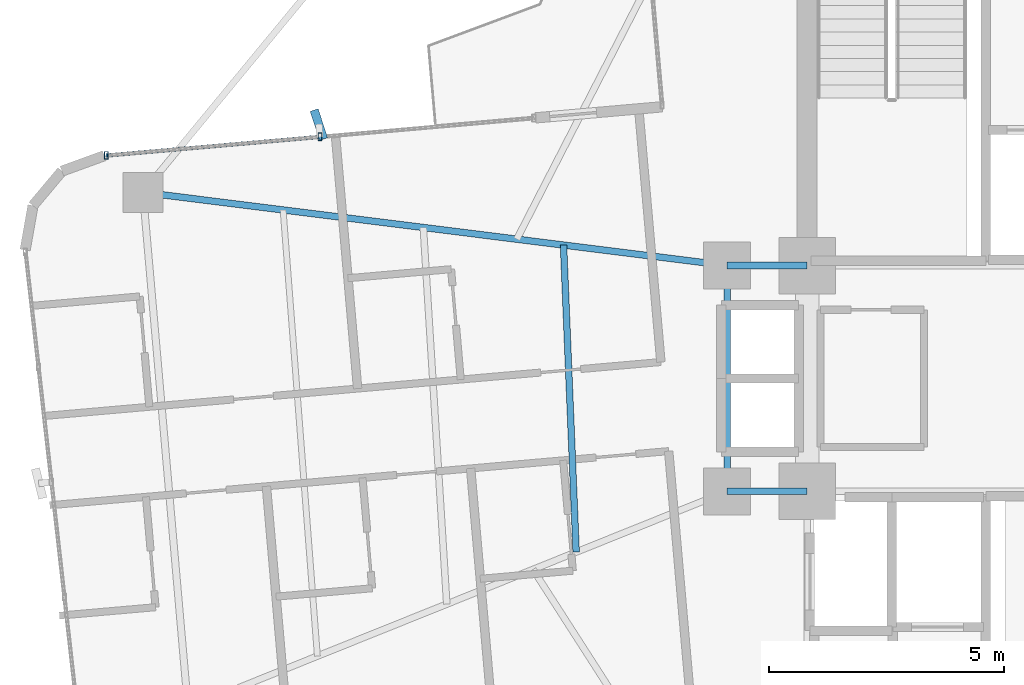
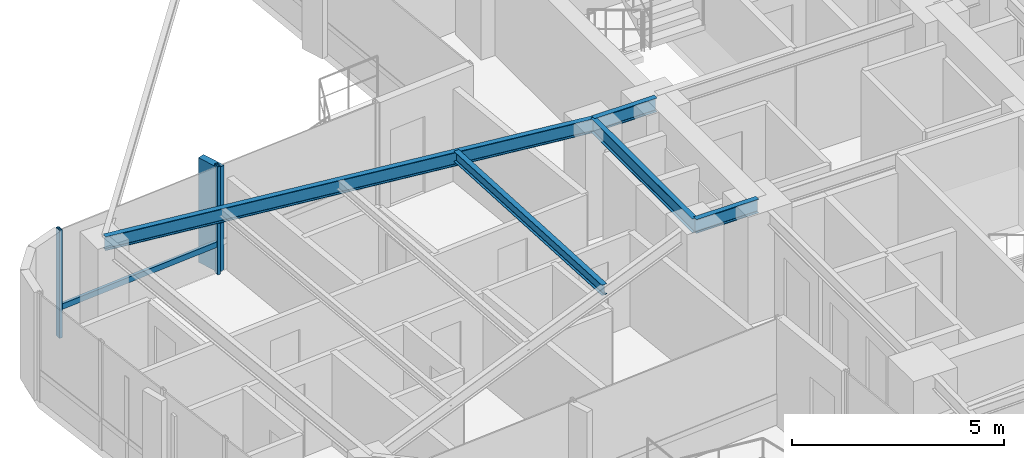
# One storey, part 9 of 24: 5 beams, 4 members, 1 element without a shape of its own.
"""IFC4 building model written with IfcOpenShell, lengths in metres."""

from ifc_helpers import new_model, si_unit, direction, frame, origin, origin_2d, place, context, subcontext, project, spatial, rectangle, hollow_rectangle, i_section, extrude, source, transform, mapped, material, material_profile, profile_set, type_object, element, aggregate, save


model = new_model("IFC4")

# Units and contexts
model_context = context("Model", 3, precision=1e-05, world=origin(), true_north=direction((0.0, 1.0)))
body_context = subcontext(model_context, "Body", "Model", "MODEL_VIEW")
ifc_project = project(units=[si_unit("LENGTHUNIT", "METRE"), si_unit("AREAUNIT", "SQUARE_METRE"), si_unit("VOLUMEUNIT", "CUBIC_METRE"), si_unit("PLANEANGLEUNIT", "RADIAN"), si_unit("MASSUNIT", "GRAM", prefix="KILO")], contexts=[model_context])

# Site, building, storey
site_placement = place(None, origin())
site = spatial("IfcSite", under=ifc_project, at=site_placement, CompositionType="ELEMENT")
building_placement = place(site_placement, origin())
building = spatial("IfcBuilding", under=site, at=building_placement, Name="Sahyath Konkavel Grand Hotel", CompositionType="ELEMENT")
storey_placement = place(building_placement, frame((0.0, 0.0, 178.550048828125)))
storey = spatial("IfcBuildingStorey", under=building, at=storey_placement, Name="L49", CompositionType="ELEMENT", Elevation=178.550048828125)

# Beams
ifc_material_1 = material(Name="Steel E350", Category="steel")
ifc_material_profile_1 = material_profile(ifc_material_1, i_section(OverallWidth=0.139892578125, OverallDepth=0.39990234375, WebThickness=0.0087890625, FlangeThickness=0.01611328125, FilletRadius=0.013916015625, at=origin_2d()), Name="ISMB 400")
ifc_profile_set_1 = profile_set([ifc_material_profile_1], Name="Steel E350")
beam_type_1 = type_object("IfcBeamType", Name="BM-ISMB400", PredefinedType="BEAM", material=ifc_profile_set_1)
shared_shape_1 = source(origin(), body_context, "Body", "SweptSolid", [
    extrude(i_section(OverallWidth=0.139892578125, OverallDepth=0.39990234375, WebThickness=0.0087890625, FlangeThickness=0.01611328125, FilletRadius=0.013916015625, at=origin_2d()), origin(), (0.0, 0.0, 1.0), 1.699951171875),
])
for number, where, z_axis, x_axis, name in (
    (1, (-5.5, 2.39990234375, 2.909912109375), (1.0, 0.0, 0.0), (0.0, 1.0, 0.0), "str:bm:L49:HB-NW"),
    (2, (-5.5, -2.39990234375, 2.909912109375), (1.0, 0.0, 0.0), (0.0, 1.0, 0.0), "str:bm:L49:HB-SW"),
):
    element("IfcBeam", number, at=place(storey_placement, frame(where, z_axis=z_axis, x_axis=x_axis)), inside=storey, type_object=beam_type_1, Name=name, PredefinedType="BEAM", context=body_context, shape_type="MappedRepresentation", body=[
        mapped(shared_shape_1, transform((0.0, 0.0, 0.0), scale=1.0)),
    ])
shared_shape_2 = source(origin(), body_context, "Body", "SweptSolid", [
    extrude(i_section(OverallWidth=0.139892578125, OverallDepth=0.39990234375, WebThickness=0.0087890625, FlangeThickness=0.01611328125, FilletRadius=0.013916015625, at=origin_2d()), origin(), (0.0, 0.0, 1.0), 4.7998046875),
])
beam_1_placement = place(storey_placement, frame((-5.5, -2.39990234375, 2.909912109375), z_axis=(0.0, 1.0, 0.0), x_axis=(-1.0, 0.0, 0.0)))
element("IfcBeam", 3, at=beam_1_placement, inside=storey, type_object=beam_type_1, Name="str:bm:L49:HB-W", PredefinedType="BEAM", context=body_context, shape_type="MappedRepresentation", body=[
    mapped(shared_shape_2, transform((0.0, 0.0, 0.0), scale=1.0)),
])
shared_shape_3 = source(origin(), body_context, "Body", "SweptSolid", [
    extrude(i_section(OverallWidth=0.139892578125, OverallDepth=0.39990234375, WebThickness=0.0087890625, FlangeThickness=0.01611328125, FilletRadius=0.013916015625, at=origin_2d()), origin(), (0.0, 0.0, 1.0), 12.509765625),
])
beam_2_placement = place(storey_placement, frame((-5.5, 2.39990234375, 2.909912109375), z_axis=(-0.992254740459, 0.124219684578, 0.0), x_axis=(-0.124219684578, -0.992254740459, 0.0)))
element("IfcBeam", 4, at=beam_2_placement, inside=storey, type_object=beam_type_1, Name="L49 Cruciform Radial Girder WA", PredefinedType="BEAM", context=body_context, shape_type="MappedRepresentation", body=[
    mapped(shared_shape_3, transform((0.0, 0.0, 0.0), scale=1.0)),
])
ifc_material_profile_2 = material_profile(ifc_material_1, i_section(OverallWidth=0.139892578125, OverallDepth=0.300048828125, WebThickness=0.0078125, FlangeThickness=0.01318359375, FilletRadius=0.013916015625, at=origin_2d()), Name="ISMB 300")
ifc_profile_set_2 = profile_set([ifc_material_profile_2], Name="Steel E350")
beam_type_2 = type_object("IfcBeamType", Name="BM-ISMB300", PredefinedType="BEAM", material=ifc_profile_set_2)
shared_shape_4 = source(origin(), body_context, "Body", "SweptSolid", [
    extrude(i_section(OverallWidth=0.139892578125, OverallDepth=0.300048828125, WebThickness=0.0078125, FlangeThickness=0.01318359375, FilletRadius=0.013916015625, at=origin_2d()), origin(), (0.0, 0.0, 1.0), 6.530029296875),
])
beam_3_placement = place(storey_placement, frame((-8.9755859375, 2.835205078125, 2.9599609375), z_axis=(0.04112667768, -0.999153940283, 0.0), x_axis=(0.999153940283, 0.04112667768, 0.0)))
element("IfcBeam", 5, at=beam_3_placement, inside=storey, type_object=beam_type_2, Name="L49 Secondary Floor Beam W-1", PredefinedType="BEAM", context=body_context, shape_type="MappedRepresentation", body=[
    mapped(shared_shape_4, transform((0.0, 0.0, 0.0), scale=1.0)),
])

# Curtain wall, members
ifc_material_2 = material(Name="Anodised Bronze Aluminium & Low-E Glazing", Category="aluminium")
curtain_wall_type = type_object("IfcCurtainWallType", Name="CW-ZONE3", PredefinedType="NOTDEFINED", material=ifc_material_2)
curtain_wall_placement = place(storey_placement, origin())
curtain_wall = element("IfcCurtainWall", 6, at=curtain_wall_placement, inside=storey, type_object=curtain_wall_type, Name="L49 Unitised Curtain Wall F16", PredefinedType="NOTDEFINED")
ifc_material_3 = material(Name="Anodised Bronze Aluminium", Category="aluminium")
ifc_material_profile_3 = material_profile(ifc_material_3, hollow_rectangle(XDim=0.080078125, YDim=0.159912109375, WallThickness=0.006103515625, at=origin_2d()), Name="RHS 160x80x6")
ifc_profile_set_3 = profile_set([ifc_material_profile_3], Name="Anodised Bronze Aluminium")
member_type_1 = type_object("IfcMemberType", Name="CW-MUL-160", PredefinedType="MULLION", material=ifc_profile_set_3)
shared_shape_5 = source(origin(), body_context, "Body", "SweptSolid", [
    extrude(hollow_rectangle(XDim=0.080078125, YDim=0.159912109375, WallThickness=0.006103515625, at=origin_2d()), origin(), (0.0, 0.0, 1.0), 3.10986328125),
])
member_1_placement = place(storey_placement, frame((-14.151611328125, 5.135986328125, 0.0), z_axis=(0.0, 0.0, 1.0), x_axis=(1.0, 0.0, 0.0)))
member_1 = element("IfcMember", 7, at=member_1_placement, type_object=member_type_1, Name="L49 Curtain Wall Mullion F16-1", PredefinedType="MULLION", context=body_context, shape_type="MappedRepresentation", body=[
    mapped(shared_shape_5, transform((0.0, 0.0, 0.0), scale=1.0)),
])
member_2_placement = place(storey_placement, frame((-18.694091796875, 4.73876953125, 0.0), z_axis=(0.0, 0.0, 1.0), x_axis=(1.0, 0.0, 0.0)))
member_2 = element("IfcMember", 8, at=member_2_placement, type_object=member_type_1, Name="L49 Curtain Wall Mullion F16-2", PredefinedType="MULLION", context=body_context, shape_type="MappedRepresentation", body=[
    mapped(shared_shape_5, transform((0.0, 0.0, 0.0), scale=1.0)),
])
ifc_material_4 = material(Name="Warm Buff Sandstone Cladding on Concrete C50/60", Category="masonry")
ifc_material_profile_4 = material_profile(ifc_material_4, rectangle(XDim=0.179931640625, YDim=0.64990234375, at=origin_2d()), Name="FIN 180x650")
ifc_profile_set_4 = profile_set([ifc_material_profile_4], Name="Warm Buff Sandstone Cladding on Concrete C50/60")
member_type_2 = type_object("IfcMemberType", Name="FIN-SANDSTONE-650", PredefinedType="MULLION", material=ifc_profile_set_4)
shared_shape_6 = source(origin(), body_context, "Body", "SweptSolid", [
    extrude(rectangle(XDim=0.179931640625, YDim=0.64990234375, at=origin_2d()), origin(), (0.0, 0.0, 1.0), 3.010009765625),
])
member_3_placement = place(storey_placement, frame((-14.17431640625, 5.39501953125, 0.050048828125), z_axis=(0.0, 0.0, 1.0), x_axis=(0.951487058208, 0.307688768178, 0.0)))
member_3 = element("IfcMember", 9, at=member_3_placement, type_object=member_type_2, Name="L49 Sandstone Vertical Solar Fin FIN F16-1", PredefinedType="MULLION", context=body_context, shape_type="MappedRepresentation", body=[
    mapped(shared_shape_6, transform((0.0, 0.0, 0.0), scale=1.0)),
])
ifc_material_profile_5 = material_profile(ifc_material_3, hollow_rectangle(XDim=0.080078125, YDim=0.159912109375, WallThickness=0.006103515625, at=origin_2d()), Name="RHS 160x80x6")
ifc_profile_set_5 = profile_set([ifc_material_profile_5], Name="Anodised Bronze Aluminium")
member_type_3 = type_object("IfcMemberType", Name="CW-TRN-160", PredefinedType="USERDEFINED", material=ifc_profile_set_5)
shared_shape_7 = source(origin(), body_context, "Body", "SweptSolid", [
    extrude(hollow_rectangle(XDim=0.080078125, YDim=0.159912109375, WallThickness=0.006103515625, at=origin_2d()), origin(), (0.0, 0.0, 1.0), 4.559814453125),
])
member_4_placement = place(storey_placement, frame((-14.151611328125, 5.135986328125, 0.849853515625), z_axis=(-0.99619848155, -0.087112486804, 0.0), x_axis=(0.087112486804, -0.99619848155, 0.0)))
member_4 = element("IfcMember", 10, at=member_4_placement, type_object=member_type_3, Name="L49 Curtain Wall Transom F16-1-spandrel", ObjectType="TRANSOM", PredefinedType="USERDEFINED", context=body_context, shape_type="MappedRepresentation", body=[
    mapped(shared_shape_7, transform((0.0, 0.0, 0.0), scale=1.0)),
])
aggregate(curtain_wall, [member_1, member_3, member_2, member_4])

save(model, "model.ifc")
